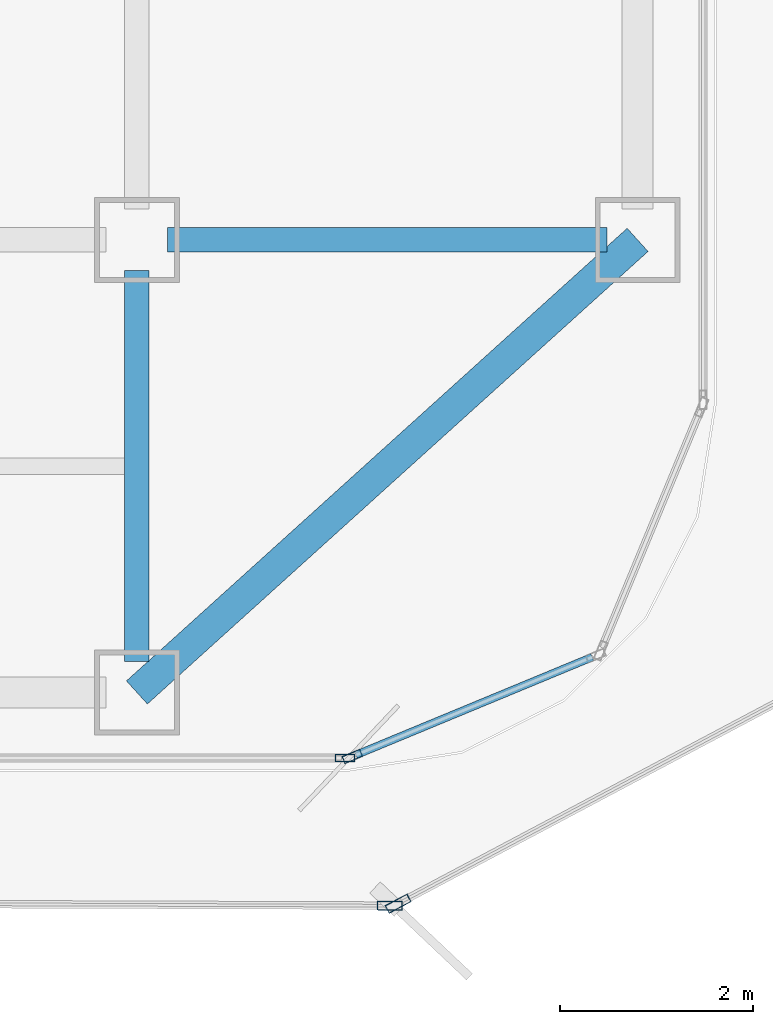
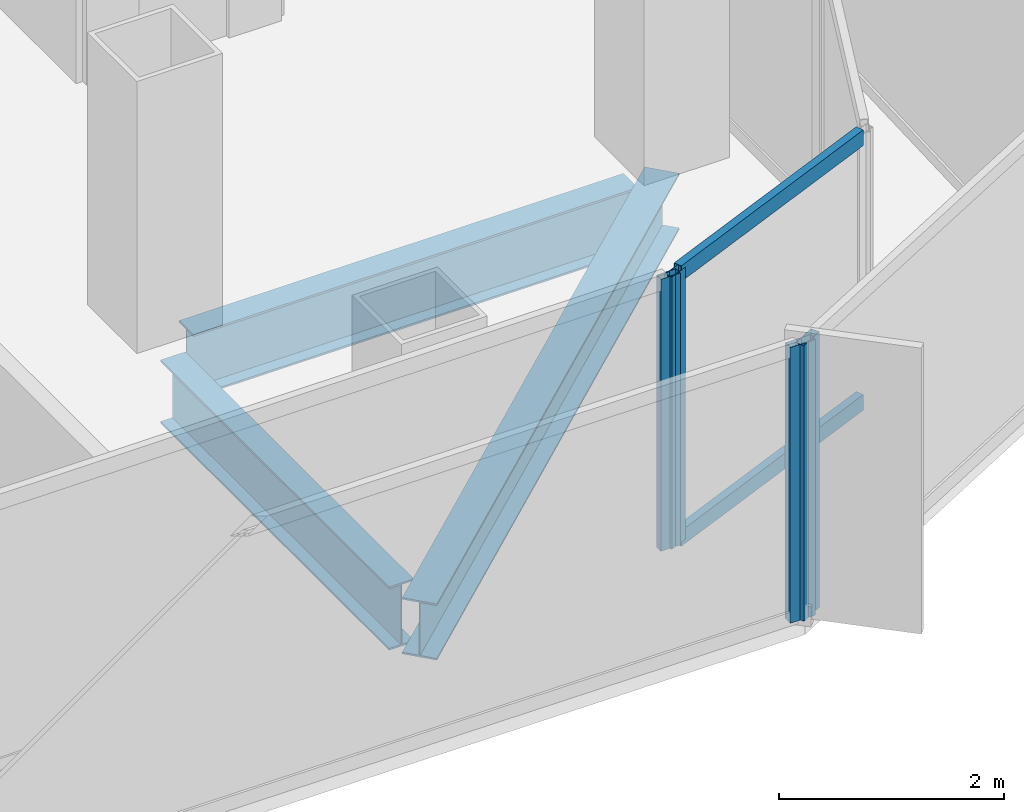
# One storey, part 6 of 21: 6 members, 3 beams, 4 elements without a shape of their own.
"""IFC4 building model written with IfcOpenShell, lengths in metres."""

from ifc_helpers import new_model, si_unit, direction, frame, origin, origin_2d, place, context, subcontext, project, spatial, hollow_rectangle, i_section, extrude, source, transform, mapped, material, layer, layer_set, material_profile, profile_set, type_object, element, aggregate, save


model = new_model("IFC4")

# Units and contexts
model_context = context("Model", 3, precision=1e-05, world=origin(), true_north=direction((0.0, 1.0)))
body_context = subcontext(model_context, "Body", "Model", "MODEL_VIEW")
ifc_project = project(units=[si_unit("LENGTHUNIT", "METRE"), si_unit("AREAUNIT", "SQUARE_METRE"), si_unit("VOLUMEUNIT", "CUBIC_METRE"), si_unit("PLANEANGLEUNIT", "RADIAN"), si_unit("MASSUNIT", "GRAM", prefix="KILO")], contexts=[model_context])

# Site, building, storey
site_placement = place(None, origin())
site = spatial("IfcSite", under=ifc_project, at=site_placement, CompositionType="ELEMENT")
building_placement = place(site_placement, origin())
building = spatial("IfcBuilding", under=site, at=building_placement, Name="Kolveth Station Tower", CompositionType="ELEMENT")
storey_placement = place(building_placement, frame((0.0, 0.0, 124.699951171875)))
storey = spatial("IfcBuildingStorey", under=building, at=storey_placement, Name="L34", CompositionType="ELEMENT", Elevation=124.699951171875)

# Beams
ifc_material_1 = material(Name="Steel S355", Category="steel")
ifc_material_profile_1 = material_profile(ifc_material_1, i_section(OverallWidth=0.323974609375, OverallDepth=0.611083984375, WebThickness=0.0126953125, FlangeThickness=0.01904296875, at=origin_2d()), Name="W610x155")
ifc_profile_set_1 = profile_set([ifc_material_profile_1], Name="Steel S355")
beam_type_1 = type_object("IfcBeamType", Name="Beam_SP2", PredefinedType="SPANDREL", material=ifc_profile_set_1)
shared_shape_1 = source(origin(), body_context, "Body", "SweptSolid", [
    extrude(i_section(OverallWidth=0.323974609375, OverallDepth=0.611083984375, WebThickness=0.0126953125, FlangeThickness=0.01904296875, at=origin_2d()), origin(), (0.0, 0.0, 1.0), 7.00927734375),
])
beam_1_placement = place(storey_placement, frame((41.0, 0.800048828125, -0.555419921875), z_axis=(0.741874009795, 0.670539300557, 0.0), x_axis=(-0.670539300557, 0.741874009795, 0.0)))
element("IfcBeam", 1, at=beam_1_placement, inside=storey, type_object=beam_type_1, Name="L34 Corner Edge Girder BM-L34-CNR-SE", PredefinedType="SPANDREL", context=body_context, shape_type="MappedRepresentation", body=[
    mapped(shared_shape_1, transform((0.0, 0.0, 0.0), x_axis=(1.0, 0.0, 0.0), y_axis=(0.0, 1.0, 0.0), z_axis=(0.0, 0.0, 1.0), scale=1.0)),
])
ifc_material_profile_2 = material_profile(ifc_material_1, i_section(OverallWidth=0.25390625, OverallDepth=0.68798828125, WebThickness=0.01318359375, FlangeThickness=0.02099609375, at=origin_2d()), Name="W690x152")
ifc_profile_set_2 = profile_set([ifc_material_profile_2], Name="Steel S355")
beam_type_2 = type_object("IfcBeamType", Name="Beam_B4", PredefinedType="BEAM", material=ifc_profile_set_2)
shared_shape_2 = source(origin(), body_context, "Body", "SweptSolid", [
    extrude(i_section(OverallWidth=0.25390625, OverallDepth=0.68798828125, WebThickness=0.01318359375, FlangeThickness=0.02099609375, at=origin_2d()), origin(), (0.0, 0.0, 1.0), 4.559814453125),
])
beam_2_placement = place(storey_placement, frame((41.320068359375, 5.5, -0.593994140625), z_axis=(1.0, 0.0, 0.0), x_axis=(0.0, 1.0, 0.0)))
element("IfcBeam", 2, at=beam_2_placement, inside=storey, type_object=beam_type_2, Name="L34 Primary Girder BM-L34-GY55-7", PredefinedType="BEAM", context=body_context, shape_type="MappedRepresentation", body=[
    mapped(shared_shape_2, transform((0.0, 0.0, 0.0), x_axis=(1.0, 0.0, 0.0), y_axis=(0.0, 1.0, 0.0), z_axis=(0.0, 0.0, 1.0), scale=1.0)),
])
shared_shape_3 = source(origin(), body_context, "Body", "SweptSolid", [
    extrude(i_section(OverallWidth=0.25390625, OverallDepth=0.68798828125, WebThickness=0.01318359375, FlangeThickness=0.02099609375, at=origin_2d()), origin(), (0.0, 0.0, 1.0), 4.059814453125),
])
beam_3_placement = place(storey_placement, frame((41.0, 1.1201171875, -0.593994140625), z_axis=(0.0, 1.0, 0.0), x_axis=(-1.0, 0.0, 0.0)))
element("IfcBeam", 3, at=beam_3_placement, inside=storey, type_object=beam_type_2, Name="L34 Primary Girder BM-L34-GX410-1", PredefinedType="BEAM", context=body_context, shape_type="MappedRepresentation", body=[
    mapped(shared_shape_3, transform((0.0, 0.0, 0.0), x_axis=(1.0, 0.0, 0.0), y_axis=(0.0, 1.0, 0.0), z_axis=(0.0, 0.0, 1.0), scale=1.0)),
])

# Curtain wall, member
ifc_material_2 = material(Name="Aluminium 6063-T6 and low-E dark glass", Category="aluminium")
ifc_layer_1 = layer(ifc_material_2, 0.18994140625)
ifc_layer_set_1 = layer_set([ifc_layer_1], Name="Aluminium 6063-T6 and low-E dark glass")
curtain_wall_type_1 = type_object("IfcCurtainWallType", Name="CurtainWall_CW-Z2", PredefinedType="NOTDEFINED", material=ifc_layer_set_1)
curtain_wall_1_placement = place(storey_placement, origin())
curtain_wall_1 = element("IfcCurtainWall", 4, at=curtain_wall_1_placement, inside=storey, type_object=curtain_wall_type_1, Name="L34 Inner Thermal Curtain Wall 1", PredefinedType="NOTDEFINED")
ifc_material_3 = material(Name="Black anodized aluminium 6063-T6", Category="aluminium")
ifc_material_profile_3 = material_profile(ifc_material_3, hollow_rectangle(XDim=0.080078125, YDim=0.199951171875, WallThickness=0.0048828125, at=origin_2d()), Name="ALU-80x200x5")
ifc_profile_set_3 = profile_set([ifc_material_profile_3], Name="Black anodized aluminium 6063-T6")
member_type_1 = type_object("IfcMemberType", Name="Mullion_ML2", PredefinedType="MULLION", material=ifc_profile_set_3)
shared_shape_4 = source(origin(), body_context, "Body", "SweptSolid", [
    extrude(hollow_rectangle(XDim=0.080078125, YDim=0.199951171875, WallThickness=0.0048828125, at=origin_2d()), origin(), (0.0, 0.0, 1.0), 2.949951171875),
])
member_1_placement = place(storey_placement, frame((43.237060546875, 0.13525390625, 0.0), z_axis=(0.0, 0.0, 1.0), x_axis=(-0.38266326998, 0.923887883787, 0.0)))
member_1 = element("IfcMember", 5, at=member_1_placement, type_object=member_type_1, Name="CW-Z2 mullion 1", PredefinedType="MULLION", context=body_context, shape_type="MappedRepresentation", body=[
    mapped(shared_shape_4, transform((0.0, 0.0, 0.0), x_axis=(1.0, 0.0, 0.0), y_axis=(0.0, 1.0, 0.0), z_axis=(0.0, 0.0, 1.0), scale=1.0)),
])

curtain_wall_2_placement = place(storey_placement, origin())
curtain_wall_2 = element("IfcCurtainWall", 6, at=curtain_wall_2_placement, inside=storey, type_object=curtain_wall_type_1, Name="L34 Inner Thermal Curtain Wall 12", PredefinedType="NOTDEFINED")
member_2_placement = place(storey_placement, frame((43.159912109375, 0.1201171875, 0.0), z_axis=(0.0, 0.0, 1.0), x_axis=(0.0, 1.0, 0.0)))
member_2 = element("IfcMember", 7, at=member_2_placement, type_object=member_type_1, Name="CW-Z2 mullion 3", PredefinedType="MULLION", context=body_context, shape_type="MappedRepresentation", body=[
    mapped(shared_shape_4, transform((0.0, 0.0, 0.0), x_axis=(1.0, 0.0, 0.0), y_axis=(0.0, 1.0, 0.0), z_axis=(0.0, 0.0, 1.0), scale=1.0)),
])
aggregate(curtain_wall_2, [member_2])

# Member
ifc_material_profile_4 = material_profile(ifc_material_3, hollow_rectangle(XDim=0.080078125, YDim=0.169921875, WallThickness=0.0048828125, at=origin_2d()), Name="ALU-80x170x5")
ifc_profile_set_4 = profile_set([ifc_material_profile_4], Name="Black anodized aluminium 6063-T6")
member_type_2 = type_object("IfcMemberType", Name="Transom_TR2", PredefinedType="USERDEFINED", material=ifc_profile_set_4)
shared_shape_5 = source(origin(), body_context, "Body", "SweptSolid", [
    extrude(hollow_rectangle(XDim=0.080078125, YDim=0.169921875, WallThickness=0.0048828125, at=origin_2d()), origin(), (0.0, 0.0, 1.0), 2.656494140625),
])
member_3_placement = place(storey_placement, frame((43.27392578125, 0.150634765625, 0.0400390625), z_axis=(0.923882422403, 0.382676455475, 0.0), x_axis=(-0.382676455475, 0.923882422403, 0.0)))
member_3 = element("IfcMember", 8, at=member_3_placement, type_object=member_type_2, Name="CW-Z2 transom 1.1", ObjectType="TRANSOM", PredefinedType="USERDEFINED", context=body_context, shape_type="MappedRepresentation", body=[
    mapped(shared_shape_5, transform((0.0, 0.0, 0.0), x_axis=(1.0, 0.0, 0.0), y_axis=(0.0, 1.0, 0.0), z_axis=(0.0, 0.0, 1.0), scale=1.0)),
])

member_4_placement = place(storey_placement, frame((43.27392578125, 0.150634765625, 2.91015625), z_axis=(0.923882422403, 0.382676455475, 0.0), x_axis=(-0.382676455475, 0.923882422403, 0.0)))
member_4 = element("IfcMember", 9, at=member_4_placement, type_object=member_type_2, Name="CW-Z2 transom 1.2", ObjectType="TRANSOM", PredefinedType="USERDEFINED", context=body_context, shape_type="MappedRepresentation", body=[
    mapped(shared_shape_5, transform((0.0, 0.0, 0.0), x_axis=(1.0, 0.0, 0.0), y_axis=(0.0, 1.0, 0.0), z_axis=(0.0, 0.0, 1.0), scale=1.0)),
])

aggregate(curtain_wall_1, [member_1, member_3, member_4])

# Curtain wall, member
ifc_material_4 = material(Name="Black anodized aluminium 6063-T6 and dark solar glass", Category="aluminium")
ifc_layer_2 = layer(ifc_material_4, 0.159912109375)
ifc_layer_set_2 = layer_set([ifc_layer_2], Name="Black anodized aluminium 6063-T6 and dark solar glass")
curtain_wall_type_2 = type_object("IfcCurtainWallType", Name="OUTER SKIN CW-OS", PredefinedType="NOTDEFINED", material=ifc_layer_set_2)
curtain_wall_3_placement = place(storey_placement, origin())
curtain_wall_3 = element("IfcCurtainWall", 10, at=curtain_wall_3_placement, inside=storey, type_object=curtain_wall_type_2, Name="L34 Outer Ventilated Skin Curtain Wall 1", PredefinedType="NOTDEFINED")
ifc_material_profile_5 = material_profile(ifc_material_3, hollow_rectangle(XDim=0.090087890625, YDim=0.260009765625, WallThickness=0.0048828125, at=origin_2d()), Name="ALU-90x260x5")
ifc_profile_set_5 = profile_set([ifc_material_profile_5], Name="Black anodized aluminium 6063-T6")
member_type_3 = type_object("IfcMemberType", Name="FIN MULLION ML-OS", PredefinedType="MULLION", material=ifc_profile_set_5)
shared_shape_6 = source(origin(), body_context, "Body", "SweptSolid", [
    extrude(hollow_rectangle(XDim=0.090087890625, YDim=0.260009765625, WallThickness=0.0048828125, at=origin_2d()), origin(), (0.0, 0.0, 1.0), 2.989990234375),
])
member_5_placement = place(storey_placement, frame((43.71240234375, -1.3935546875, 0.0), z_axis=(0.0, 0.0, 1.0), x_axis=(-0.468813701968, 0.883297069421, 0.0)))
member_5 = element("IfcMember", 11, at=member_5_placement, type_object=member_type_3, Name="CW-OS mullion 1", PredefinedType="MULLION", context=body_context, shape_type="MappedRepresentation", body=[
    mapped(shared_shape_6, transform((0.0, 0.0, 0.0), x_axis=(1.0, 0.0, 0.0), y_axis=(0.0, 1.0, 0.0), z_axis=(0.0, 0.0, 1.0), scale=1.0)),
])
aggregate(curtain_wall_3, [member_5])

curtain_wall_4_placement = place(storey_placement, origin())
curtain_wall_4 = element("IfcCurtainWall", 12, at=curtain_wall_4_placement, inside=storey, type_object=curtain_wall_type_2, Name="L34 Outer Ventilated Skin Curtain Wall 8", PredefinedType="NOTDEFINED")
member_6_placement = place(storey_placement, frame((43.627685546875, -1.41455078125, 0.0), z_axis=(0.0, 0.0, 1.0), x_axis=(0.003434239047, 0.999994102984, 0.0)))
member_6 = element("IfcMember", 13, at=member_6_placement, type_object=member_type_3, Name="CW-OS mullion 2", PredefinedType="MULLION", context=body_context, shape_type="MappedRepresentation", body=[
    mapped(shared_shape_6, transform((0.0, 0.0, 0.0), x_axis=(1.0, 0.0, 0.0), y_axis=(0.0, 1.0, 0.0), z_axis=(0.0, 0.0, 1.0), scale=1.0)),
])
aggregate(curtain_wall_4, [member_6])

save(model, "model.ifc")
